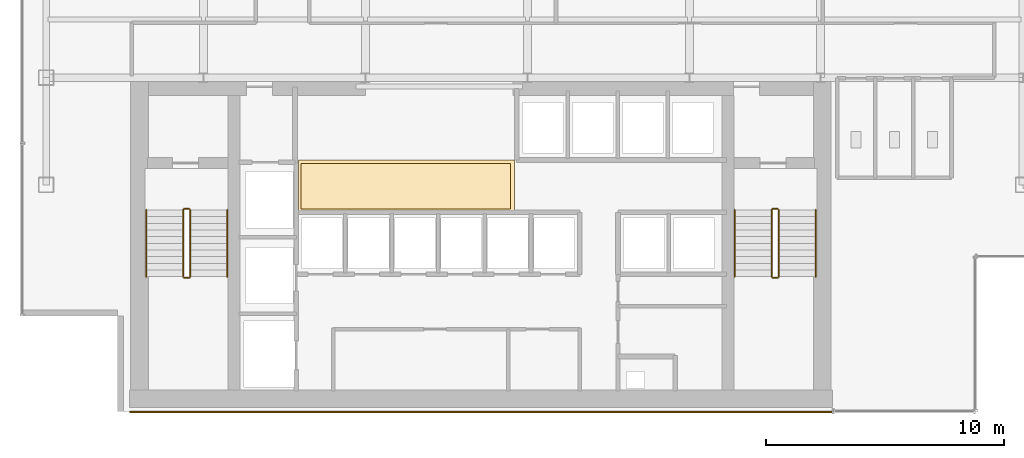
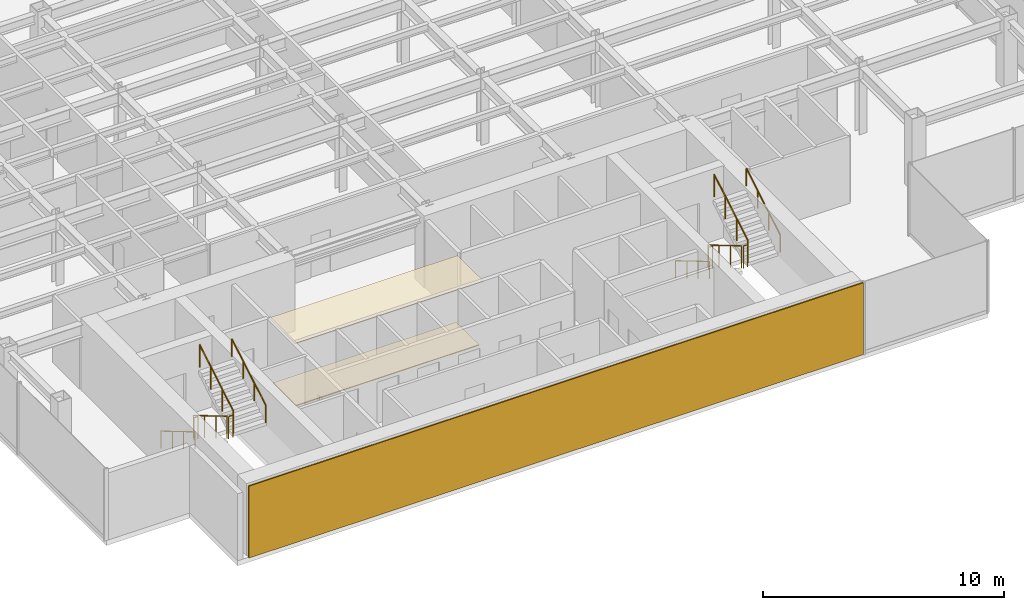
# One storey, part 23 of 25: 12 railings, 3 coverings.
"""IFC4 building model written with IfcOpenShell, lengths in metres."""

from ifc_helpers import new_model, si_unit, derived_unit, direction, frame, origin, origin_2d, place, context, subcontext, project, spatial, polyline, rectangle, circle, outline, extrude, source, transform, mapped, material, layer, layer_set, type_object, element, save


model = new_model("IFC4")

# Units and contexts
model_context = context("Model", 3, precision=1e-05, world=origin(), true_north=direction((0.0, 1.0)))
body_context = subcontext(model_context, "Body", "Model", "MODEL_VIEW")
ifc_project = project(units=[si_unit("LENGTHUNIT", "METRE"), si_unit("AREAUNIT", "SQUARE_METRE"), si_unit("VOLUMEUNIT", "CUBIC_METRE"), si_unit("PLANEANGLEUNIT", "RADIAN"), si_unit("MASSUNIT", "GRAM", prefix="KILO"), derived_unit("THERMALTRANSMITTANCEUNIT", [(si_unit("POWERUNIT", "WATT"), 1), (si_unit("LENGTHUNIT", "METRE"), -2), (si_unit("THERMODYNAMICTEMPERATUREUNIT", "KELVIN"), -1)])], contexts=[model_context])

# Site, building, storey
site_placement = place(None, origin())
site = spatial("IfcSite", under=ifc_project, at=site_placement, CompositionType="ELEMENT")
building_placement = place(site_placement, origin())
building = spatial("IfcBuilding", under=site, at=building_placement, Name="Skarnbrae Concourse Arena and Tower", CompositionType="ELEMENT")
storey_placement = place(building_placement, frame((0.0, 0.0, 155.199951171875)))
storey = spatial("IfcBuildingStorey", under=building, at=storey_placement, Name="L39", CompositionType="ELEMENT", Elevation=155.199951171875)

# Coverings
ifc_material_1 = material(Name="Mineral fibre acoustic ceiling tile", Category="other")
ifc_layer_1 = layer(ifc_material_1, 0.0400390625)
ifc_layer_set_1 = layer_set([ifc_layer_1], Name="Mineral fibre acoustic ceiling tile")
covering_type_1 = type_object("IfcCoveringType", Name="COV-CEIL-ACOUSTIC", PredefinedType="CEILING", material=ifc_layer_set_1)
covering_1_placement = place(storey_placement, frame((0.0, 0.0, 3.239990234375)))
element("IfcCovering", 1, at=covering_1_placement, inside=storey, type_object=covering_type_1, Name="L39 Lift lobby acoustic ceiling", PredefinedType="CEILING", context=body_context, shape_type="SweptSolid", body=[
    extrude(outline(polyline([(11.60009765625, 8.39990234375), (20.64990234375, 8.39990234375), (20.64990234375, 10.550048828125), (11.60009765625, 10.550048828125), (11.60009765625, 8.39990234375)])), origin(), (0.0, 0.0, 1.0), 0.0400390625),
])
ifc_material_2 = material(Name="Polished granite terrazzo flooring", Category="masonry")
ifc_layer_2 = layer(ifc_material_2, 0.0400390625)
ifc_layer_set_2 = layer_set([ifc_layer_2], Name="Polished granite terrazzo flooring")
covering_type_2 = type_object("IfcCoveringType", Name="COV-FLOOR-TERRAZZO", PredefinedType="FLOORING", material=ifc_layer_set_2)
covering_2_placement = place(storey_placement, origin())
element("IfcCovering", 2, at=covering_2_placement, inside=storey, type_object=covering_type_2, Name="L39 Lift lobby terrazzo flooring", PredefinedType="FLOORING", context=body_context, shape_type="SweptSolid", body=[
    extrude(outline(polyline([(11.699951171875, 8.5), (20.5, 8.5), (20.5, 10.39990234375), (11.699951171875, 10.39990234375), (11.699951171875, 8.5)])), origin(), (0.0, 0.0, 1.0), 0.0400390625),
])

# Railings
ifc_material_3 = material(Name="Steel CSA G40.21 350W", Category="steel")
railing_type_1 = type_object("IfcRailingType", Name="RAIL-HANDRAIL-900", PredefinedType="HANDRAIL", material=ifc_material_3)
railing_1_placement = place(storey_placement, frame((5.199951171875, 8.449951171875, 0.166015625)))
element("IfcRailing", 3, at=railing_1_placement, inside=storey, type_object=railing_type_1, Name="L39 ST-1 stair handrail 1", PredefinedType="HANDRAIL", context=body_context, shape_type="SweptSolid", body=[
    extrude(circle(Radius=0.02392578125, at=origin_2d()), frame((0.0, 0.0, 0.8759765625), z_axis=(0.0, -0.860339051648, 0.50972219513), x_axis=(1.0, 0.0, 0.0)), (0.0, 0.0, 1.0), 3.254638671875),
    extrude(circle(Radius=0.02099609375, at=origin_2d()), origin(), (0.0, 0.0, 1.0), 0.851806640625),
    extrude(circle(Radius=0.02099609375, at=origin_2d()), frame((0.0, -0.933349609375, 0.552978515625)), (0.0, 0.0, 1.0), 0.851806640625),
    extrude(circle(Radius=0.02099609375, at=origin_2d()), frame((0.0, -1.86669921875, 1.10595703125)), (0.0, 0.0, 1.0), 0.851806640625),
    extrude(circle(Radius=0.02099609375, at=origin_2d()), frame((0.0, -2.800048828125, 1.658935546875)), (0.0, 0.0, 1.0), 0.851806640625),
])
railing_2_placement = place(storey_placement, frame((8.60009765625, 5.64990234375, 1.990966796875)))
element("IfcRailing", 4, at=railing_2_placement, inside=storey, type_object=railing_type_1, Name="L39 ST-1 stair handrail 2", PredefinedType="HANDRAIL", context=body_context, shape_type="SweptSolid", body=[
    extrude(circle(Radius=0.02392578125, at=origin_2d()), frame((0.0, 0.0, 0.8759765625), z_axis=(0.0, 0.860306154799, 0.50977771628), x_axis=(-1.0, 0.0, 0.0)), (0.0, 0.0, 1.0), 3.254638671875),
    extrude(circle(Radius=0.02099609375, at=origin_2d()), origin(), (0.0, 0.0, 1.0), 0.851806640625),
    extrude(circle(Radius=0.02099609375, at=origin_2d()), frame((0.0, 0.933349609375, 0.552978515625)), (0.0, 0.0, 1.0), 0.851806640625),
    extrude(circle(Radius=0.02099609375, at=origin_2d()), frame((0.0, 1.86669921875, 1.106201171875)), (0.0, 0.0, 1.0), 0.851806640625),
    extrude(circle(Radius=0.02099609375, at=origin_2d()), frame((0.0, 2.800048828125, 1.6591796875)), (0.0, 0.0, 1.0), 0.851806640625),
])
railing_3_placement = place(storey_placement, frame((29.89990234375, 8.449951171875, 0.166015625)))
element("IfcRailing", 5, at=railing_3_placement, inside=storey, type_object=railing_type_1, Name="L39 ST-2 stair handrail 1", PredefinedType="HANDRAIL", context=body_context, shape_type="SweptSolid", body=[
    extrude(circle(Radius=0.02392578125, at=origin_2d()), frame((0.0, 0.0, 0.8759765625), z_axis=(0.0, -0.860339051648, 0.50972219513), x_axis=(1.0, 0.0, 0.0)), (0.0, 0.0, 1.0), 3.254638671875),
    extrude(circle(Radius=0.02099609375, at=origin_2d()), origin(), (0.0, 0.0, 1.0), 0.851806640625),
    extrude(circle(Radius=0.02099609375, at=origin_2d()), frame((0.0, -0.933349609375, 0.552978515625)), (0.0, 0.0, 1.0), 0.851806640625),
    extrude(circle(Radius=0.02099609375, at=origin_2d()), frame((0.0, -1.86669921875, 1.10595703125)), (0.0, 0.0, 1.0), 0.851806640625),
    extrude(circle(Radius=0.02099609375, at=origin_2d()), frame((0.0, -2.800048828125, 1.658935546875)), (0.0, 0.0, 1.0), 0.851806640625),
])
railing_4_placement = place(storey_placement, frame((33.300048828125, 5.64990234375, 1.990966796875)))
element("IfcRailing", 6, at=railing_4_placement, inside=storey, type_object=railing_type_1, Name="L39 ST-2 stair handrail 2", PredefinedType="HANDRAIL", context=body_context, shape_type="SweptSolid", body=[
    extrude(circle(Radius=0.02392578125, at=origin_2d()), frame((0.0, 0.0, 0.8759765625), z_axis=(0.0, 0.860306154799, 0.50977771628), x_axis=(-1.0, 0.0, 0.0)), (0.0, 0.0, 1.0), 3.254638671875),
    extrude(circle(Radius=0.02099609375, at=origin_2d()), origin(), (0.0, 0.0, 1.0), 0.851806640625),
    extrude(circle(Radius=0.02099609375, at=origin_2d()), frame((0.0, 0.933349609375, 0.552978515625)), (0.0, 0.0, 1.0), 0.851806640625),
    extrude(circle(Radius=0.02099609375, at=origin_2d()), frame((0.0, 1.86669921875, 1.106201171875)), (0.0, 0.0, 1.0), 0.851806640625),
    extrude(circle(Radius=0.02099609375, at=origin_2d()), frame((0.0, 2.800048828125, 1.6591796875)), (0.0, 0.0, 1.0), 0.851806640625),
])
railing_type_2 = type_object("IfcRailingType", Name="RAIL-STAIR-GUARD-1150", PredefinedType="GUARDRAIL", material=ifc_material_3)
railing_5_placement = place(storey_placement, frame((6.75, 8.449951171875, 0.166015625)))
element("IfcRailing", 7, at=railing_5_placement, inside=storey, type_object=railing_type_2, Name="L39 ST-1 stair guard 1", PredefinedType="GUARDRAIL", context=body_context, shape_type="SweptSolid", body=[
    extrude(circle(Radius=0.02392578125, at=origin_2d()), frame((0.0, 0.0, 1.1259765625), z_axis=(0.0, -0.860339051648, 0.50972219513), x_axis=(1.0, 0.0, 0.0)), (0.0, 0.0, 1.0), 3.254638671875),
    extrude(circle(Radius=0.02099609375, at=origin_2d()), origin(), (0.0, 0.0, 1.0), 1.101806640625),
    extrude(circle(Radius=0.02099609375, at=origin_2d()), frame((0.0, -0.933349609375, 0.552978515625)), (0.0, 0.0, 1.0), 1.101806640625),
    extrude(circle(Radius=0.02099609375, at=origin_2d()), frame((0.0, -1.86669921875, 1.10595703125)), (0.0, 0.0, 1.0), 1.101806640625),
    extrude(circle(Radius=0.02099609375, at=origin_2d()), frame((0.0, -2.800048828125, 1.658935546875)), (0.0, 0.0, 1.0), 1.101806640625),
])
railing_6_placement = place(storey_placement, frame((6.800048828125, 5.60009765625, 1.824951171875)))
element("IfcRailing", 8, at=railing_6_placement, inside=storey, type_object=railing_type_2, Name="L39 ST-1 stair guard 2", PredefinedType="GUARDRAIL", context=body_context, shape_type="SweptSolid", body=[
    extrude(circle(Radius=0.02392578125, at=origin_2d()), frame((0.0, 0.0, 1.1259765625), z_axis=(1.0, 0.0, 0.0), x_axis=(0.0, 1.0, 0.0)), (0.0, 0.0, 1.0), 0.199951171875),
    extrude(circle(Radius=0.02099609375, at=origin_2d()), origin(), (0.0, 0.0, 1.0), 1.101806640625),
    extrude(circle(Radius=0.02099609375, at=origin_2d()), frame((0.199951171875, 0.0, 0.0)), (0.0, 0.0, 1.0), 1.101806640625),
])
railing_7_placement = place(storey_placement, frame((7.050048828125, 5.64990234375, 1.990966796875)))
element("IfcRailing", 9, at=railing_7_placement, inside=storey, type_object=railing_type_2, Name="L39 ST-1 stair guard 3", PredefinedType="GUARDRAIL", context=body_context, shape_type="SweptSolid", body=[
    extrude(circle(Radius=0.02392578125, at=origin_2d()), frame((0.0, 0.0, 1.1259765625), z_axis=(0.0, 0.860306154799, 0.50977771628), x_axis=(-1.0, 0.0, 0.0)), (0.0, 0.0, 1.0), 3.254638671875),
    extrude(circle(Radius=0.02099609375, at=origin_2d()), origin(), (0.0, 0.0, 1.0), 1.101806640625),
    extrude(circle(Radius=0.02099609375, at=origin_2d()), frame((0.0, 0.933349609375, 0.552978515625)), (0.0, 0.0, 1.0), 1.101806640625),
    extrude(circle(Radius=0.02099609375, at=origin_2d()), frame((0.0, 1.86669921875, 1.106201171875)), (0.0, 0.0, 1.0), 1.101806640625),
    extrude(circle(Radius=0.02099609375, at=origin_2d()), frame((0.0, 2.800048828125, 1.6591796875)), (0.0, 0.0, 1.0), 1.101806640625),
])
railing_8_placement = place(storey_placement, frame((6.800048828125, 8.5, 0.0)))
element("IfcRailing", 10, at=railing_8_placement, inside=storey, type_object=railing_type_2, Name="L39 ST-1 stair guard 4", PredefinedType="GUARDRAIL", context=body_context, shape_type="SweptSolid", body=[
    extrude(circle(Radius=0.02392578125, at=origin_2d()), frame((0.0, 0.0, 1.1259765625), z_axis=(1.0, 0.0, 0.0), x_axis=(0.0, 1.0, 0.0)), (0.0, 0.0, 1.0), 0.199951171875),
    extrude(circle(Radius=0.02099609375, at=origin_2d()), origin(), (0.0, 0.0, 1.0), 1.101806640625),
    extrude(circle(Radius=0.02099609375, at=origin_2d()), frame((0.199951171875, 0.0, 0.0)), (0.0, 0.0, 1.0), 1.101806640625),
])
railing_9_placement = place(storey_placement, frame((31.449951171875, 8.449951171875, 0.166015625)))
element("IfcRailing", 11, at=railing_9_placement, inside=storey, type_object=railing_type_2, Name="L39 ST-2 stair guard 1", PredefinedType="GUARDRAIL", context=body_context, shape_type="SweptSolid", body=[
    extrude(circle(Radius=0.02392578125, at=origin_2d()), frame((0.0, 0.0, 1.1259765625), z_axis=(0.0, -0.860339051648, 0.50972219513), x_axis=(1.0, 0.0, 0.0)), (0.0, 0.0, 1.0), 3.254638671875),
    extrude(circle(Radius=0.02099609375, at=origin_2d()), origin(), (0.0, 0.0, 1.0), 1.101806640625),
    extrude(circle(Radius=0.02099609375, at=origin_2d()), frame((0.0, -0.933349609375, 0.552978515625)), (0.0, 0.0, 1.0), 1.101806640625),
    extrude(circle(Radius=0.02099609375, at=origin_2d()), frame((0.0, -1.86669921875, 1.10595703125)), (0.0, 0.0, 1.0), 1.101806640625),
    extrude(circle(Radius=0.02099609375, at=origin_2d()), frame((0.0, -2.800048828125, 1.658935546875)), (0.0, 0.0, 1.0), 1.101806640625),
])
railing_10_placement = place(storey_placement, frame((31.5, 5.60009765625, 1.824951171875)))
element("IfcRailing", 12, at=railing_10_placement, inside=storey, type_object=railing_type_2, Name="L39 ST-2 stair guard 2", PredefinedType="GUARDRAIL", context=body_context, shape_type="SweptSolid", body=[
    extrude(circle(Radius=0.02392578125, at=origin_2d()), frame((0.0, 0.0, 1.1259765625), z_axis=(1.0, 0.0, 0.0), x_axis=(0.0, 1.0, 0.0)), (0.0, 0.0, 1.0), 0.199951171875),
    extrude(circle(Radius=0.02099609375, at=origin_2d()), origin(), (0.0, 0.0, 1.0), 1.101806640625),
    extrude(circle(Radius=0.02099609375, at=origin_2d()), frame((0.199951171875, 0.0, 0.0)), (0.0, 0.0, 1.0), 1.101806640625),
])
railing_11_placement = place(storey_placement, frame((31.75, 5.64990234375, 1.990966796875)))
element("IfcRailing", 13, at=railing_11_placement, inside=storey, type_object=railing_type_2, Name="L39 ST-2 stair guard 3", PredefinedType="GUARDRAIL", context=body_context, shape_type="SweptSolid", body=[
    extrude(circle(Radius=0.02392578125, at=origin_2d()), frame((0.0, 0.0, 1.1259765625), z_axis=(0.0, 0.860306154799, 0.50977771628), x_axis=(-1.0, 0.0, 0.0)), (0.0, 0.0, 1.0), 3.254638671875),
    extrude(circle(Radius=0.02099609375, at=origin_2d()), origin(), (0.0, 0.0, 1.0), 1.101806640625),
    extrude(circle(Radius=0.02099609375, at=origin_2d()), frame((0.0, 0.933349609375, 0.552978515625)), (0.0, 0.0, 1.0), 1.101806640625),
    extrude(circle(Radius=0.02099609375, at=origin_2d()), frame((0.0, 1.86669921875, 1.106201171875)), (0.0, 0.0, 1.0), 1.101806640625),
    extrude(circle(Radius=0.02099609375, at=origin_2d()), frame((0.0, 2.800048828125, 1.6591796875)), (0.0, 0.0, 1.0), 1.101806640625),
])
railing_12_placement = place(storey_placement, frame((31.5, 8.5, 0.0)))
element("IfcRailing", 14, at=railing_12_placement, inside=storey, type_object=railing_type_2, Name="L39 ST-2 stair guard 4", PredefinedType="GUARDRAIL", context=body_context, shape_type="SweptSolid", body=[
    extrude(circle(Radius=0.02392578125, at=origin_2d()), frame((0.0, 0.0, 1.1259765625), z_axis=(1.0, 0.0, 0.0), x_axis=(0.0, 1.0, 0.0)), (0.0, 0.0, 1.0), 0.199951171875),
    extrude(circle(Radius=0.02099609375, at=origin_2d()), origin(), (0.0, 0.0, 1.0), 1.101806640625),
    extrude(circle(Radius=0.02099609375, at=origin_2d()), frame((0.199951171875, 0.0, 0.0)), (0.0, 0.0, 1.0), 1.101806640625),
])

# Covering
ifc_material_4 = material(Name="Bronze anodised aluminium 6063-T6", Category="aluminium")
ifc_layer_3 = layer(ifc_material_4, 0.06005859375)
ifc_layer_set_3 = layer_set([ifc_layer_3], Name="Bronze anodised aluminium 6063-T6")
covering_type_3 = type_object("IfcCoveringType", Name="COV-CLAD-BRONZE-60", PredefinedType="CLADDING", material=ifc_layer_set_3)
shared_shape = source(origin(), body_context, "Body", "SweptSolid", [
    extrude(rectangle(XDim=29.5, YDim=0.06005859375, at=origin_2d()), origin(), (0.0, 0.0, 1.0), 3.64990234375),
])
covering_3_placement = place(storey_placement, frame((19.25, -0.030029296875, 0.0), z_axis=(0.0, 0.0, 1.0), x_axis=(1.0, 0.0, 0.0)))
element("IfcCovering", 15, at=covering_3_placement, inside=storey, type_object=covering_type_3, Name="L39 Rear-core plumb spine bronze rainscreen panel", PredefinedType="CLADDING", context=body_context, shape_type="MappedRepresentation", body=[
    mapped(shared_shape, transform((0.0, 0.0, 0.0))),
])

save(model, "model.ifc")
